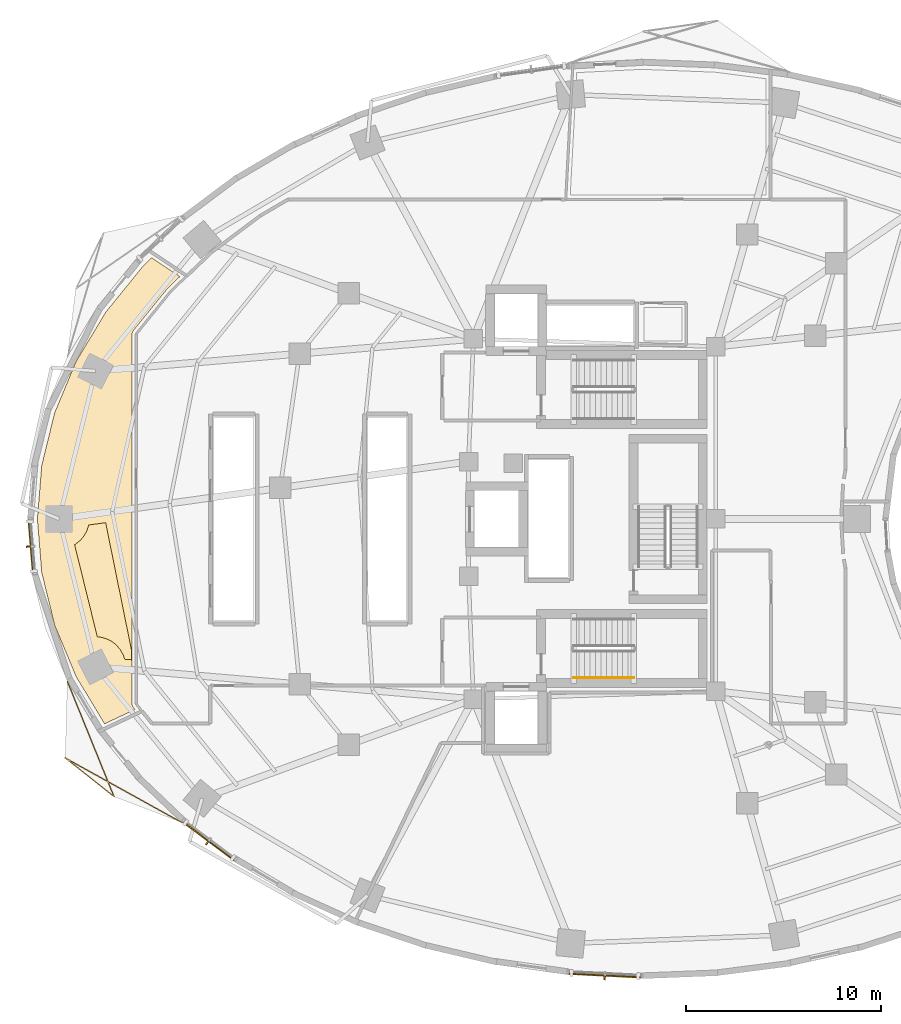
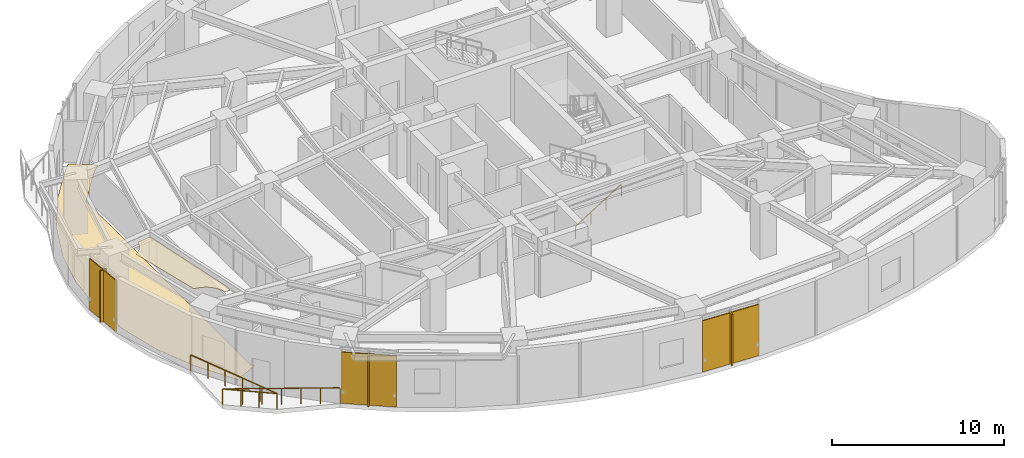
# One storey, part 12 of 14: 6 shading devices, 2 coverings, 2 railings.
"""IFC4 building model written with IfcOpenShell, lengths in metres."""

from ifc_helpers import new_model, si_unit, direction, frame, origin, origin_2d, place, context, subcontext, project, spatial, polyline, rectangle, outline, extrude, material, layer, layer_set, type_object, element, save


model = new_model("IFC4")

# Units and contexts
model_context = context("Model", 3, precision=1e-05, world=origin(), true_north=direction((0.0, 1.0)))
body_context = subcontext(model_context, "Body", "Model", "MODEL_VIEW")
ifc_project = project(units=[si_unit("LENGTHUNIT", "METRE"), si_unit("AREAUNIT", "SQUARE_METRE"), si_unit("VOLUMEUNIT", "CUBIC_METRE"), si_unit("PLANEANGLEUNIT", "RADIAN"), si_unit("MASSUNIT", "GRAM", prefix="KILO")], contexts=[model_context])

# Site, building, storey
site_placement = place(None, origin())
site = spatial("IfcSite", under=ifc_project, at=site_placement, CompositionType="ELEMENT")
building_placement = place(site_placement, origin())
building = spatial("IfcBuilding", under=site, at=building_placement, Name="Korentha Bioscience Tower", CompositionType="ELEMENT")
storey_placement = place(building_placement, frame((0.0, 0.0, 63.60009765625)))
storey = spatial("IfcBuildingStorey", under=building, at=storey_placement, Name="L14", CompositionType="ELEMENT", Elevation=63.60009765625)

# Railings
ifc_material_1 = material(Name="Stainless Steel 304", Category="steel")
railing_type_1 = type_object("IfcRailingType", Name="Brushed Stainless Stair Handrail 900", PredefinedType="HANDRAIL", material=ifc_material_1)
railing_1_placement = place(storey_placement, frame((30.25, 18.85009765625, 0.1748046875)))
element("IfcRailing", 1, at=railing_1_placement, inside=storey, type_object=railing_type_1, Name="L14 ST-2 stair handrail 1", PredefinedType="HANDRAIL", context=body_context, shape_type="SweptSolid", body=[
    extrude(rectangle(XDim=0.048095703125, YDim=0.048095703125, at=origin_2d()), frame((0.0, 0.0, 0.8759765625), z_axis=(0.847998304005, 0.0, 0.529998940003), x_axis=(0.0, 1.0, 0.0)), (0.0, 0.0, 1.0), 3.632080078125),
    extrude(rectangle(XDim=0.0419921875, YDim=0.0419921875, at=origin_2d()), origin(), (0.0, 0.0, 1.0), 0.851806640625),
    extrude(rectangle(XDim=0.0419921875, YDim=0.0419921875, at=origin_2d()), frame((1.026611328125, 0.0, 0.6416015625)), (0.0, 0.0, 1.0), 0.851806640625),
    extrude(rectangle(XDim=0.0419921875, YDim=0.0419921875, at=origin_2d()), frame((2.053466796875, 0.0, 1.283447265625)), (0.0, 0.0, 1.0), 0.851806640625),
    extrude(rectangle(XDim=0.0419921875, YDim=0.0419921875, at=origin_2d()), frame((3.080078125, 0.0, 1.925048828125)), (0.0, 0.0, 1.0), 0.851806640625),
])
ifc_material_2 = material(Name="Laminated Tempered Safety Glass", Category="glass")
railing_type_2 = type_object("IfcRailingType", Name="Laminated Glass Balcony Guardrail 1150", PredefinedType="BALUSTRADE", material=ifc_material_2)
railing_2_placement = place(storey_placement, frame((4.246337890625, 18.6708984375, 0.0)))
element("IfcRailing", 2, at=railing_2_placement, inside=storey, type_object=railing_type_2, Name="L14 Balcony Guardrail 03", PredefinedType="BALUSTRADE", context=body_context, shape_type="SweptSolid", body=[
    extrude(rectangle(XDim=0.048095703125, YDim=0.048095703125, at=origin_2d()), frame((0.0, 0.0, 1.1259765625), z_axis=(0.375353526565, -0.926881723897, 0.0), x_axis=(0.926881723897, 0.375353526565, 0.0)), (0.0, 0.0, 1.0), 6.399658203125),
    extrude(rectangle(XDim=0.048095703125, YDim=0.048095703125, at=origin_2d()), frame((2.402099609375, -5.931640625, 1.1259765625), z_axis=(-0.783832620515, 0.620972159615, 0.0), x_axis=(-0.620972159615, -0.783832620515, 0.0)), (0.0, 0.0, 1.0), 3.205078125),
    extrude(rectangle(XDim=0.048095703125, YDim=0.048095703125, at=origin_2d()), frame((-0.110107421875, -3.94140625, 1.1259765625), z_axis=(0.874749012384, -0.484576274011, 0.0), x_axis=(0.484576274011, 0.874749012384, 0.0)), (0.0, 0.0, 1.0), 6.843017578125),
    extrude(rectangle(XDim=0.0419921875, YDim=0.0419921875, at=origin_2d()), origin(), (0.0, 0.0, 1.0), 1.101806640625),
    extrude(rectangle(XDim=0.0419921875, YDim=0.0419921875, at=origin_2d()), frame((0.48046875, -1.186279296875, 0.0)), (0.0, 0.0, 1.0), 1.101806640625),
    extrude(rectangle(XDim=0.0419921875, YDim=0.0419921875, at=origin_2d()), frame((0.9609375, -2.37255859375, 0.0)), (0.0, 0.0, 1.0), 1.101806640625),
    extrude(rectangle(XDim=0.0419921875, YDim=0.0419921875, at=origin_2d()), frame((1.441162109375, -3.55908203125, 0.0)), (0.0, 0.0, 1.0), 1.101806640625),
    extrude(rectangle(XDim=0.0419921875, YDim=0.0419921875, at=origin_2d()), frame((1.921630859375, -4.745361328125, 0.0)), (0.0, 0.0, 1.0), 1.101806640625),
    extrude(rectangle(XDim=0.0419921875, YDim=0.0419921875, at=origin_2d()), frame((2.402099609375, -5.931640625, 0.0)), (0.0, 0.0, 1.0), 1.101806640625),
    extrude(rectangle(XDim=0.0419921875, YDim=0.0419921875, at=origin_2d()), frame((1.564697265625, -5.268310546875, 0.0)), (0.0, 0.0, 1.0), 1.101806640625),
    extrude(rectangle(XDim=0.0419921875, YDim=0.0419921875, at=origin_2d()), frame((0.727294921875, -4.604736328125, 0.0)), (0.0, 0.0, 1.0), 1.101806640625),
    extrude(rectangle(XDim=0.0419921875, YDim=0.0419921875, at=origin_2d()), frame((-0.110107421875, -3.94140625, 0.0)), (0.0, 0.0, 1.0), 1.101806640625),
    extrude(rectangle(XDim=0.0419921875, YDim=0.0419921875, at=origin_2d()), frame((0.887451171875, -4.494140625, 0.0)), (0.0, 0.0, 1.0), 1.101806640625),
    extrude(rectangle(XDim=0.0419921875, YDim=0.0419921875, at=origin_2d()), frame((1.88525390625, -5.046630859375, 0.0)), (0.0, 0.0, 1.0), 1.101806640625),
    extrude(rectangle(XDim=0.0419921875, YDim=0.0419921875, at=origin_2d()), frame((2.8828125, -5.599365234375, 0.0)), (0.0, 0.0, 1.0), 1.101806640625),
    extrude(rectangle(XDim=0.0419921875, YDim=0.0419921875, at=origin_2d()), frame((3.88037109375, -6.152099609375, 0.0)), (0.0, 0.0, 1.0), 1.101806640625),
    extrude(rectangle(XDim=0.0419921875, YDim=0.0419921875, at=origin_2d()), frame((4.878173828125, -6.70458984375, 0.0)), (0.0, 0.0, 1.0), 1.101806640625),
    extrude(rectangle(XDim=0.0419921875, YDim=0.0419921875, at=origin_2d()), frame((5.875732421875, -7.25732421875, 0.0)), (0.0, 0.0, 1.0), 1.101806640625),
])

# Covering
ifc_material_3 = material(Name="Antimicrobial Mineral Fibre Board", Category="gypsum")
ifc_layer_1 = layer(ifc_material_3, 0.034912109375, Name="Antimicrobial Mineral Fibre Board")
ifc_layer_set_1 = layer_set([ifc_layer_1], Name="Antimicrobial Mineral Fibre Board (CL-MF35)")
covering_type_1 = type_object("IfcCoveringType", Name="Mineral-Fibre Cleanroom Suspended Ceiling 35", PredefinedType="CEILING", material=ifc_layer_set_1)
covering_1_placement = place(storey_placement, frame((0.0, 0.0, 3.864990234375)))
element("IfcCovering", 3, at=covering_1_placement, inside=storey, type_object=covering_type_1, Name="L14 Clinical Trials Data Office 06 Acoustic Ceiling", PredefinedType="CEILING", context=body_context, shape_type="SweptSolid", body=[
    extrude(outline(polyline([(7.19287109375, 19.798583984375), (7.127685546875, 19.99755859375), (6.984619140625, 20.265380859375), (6.791748046875, 20.50048828125), (6.678955078125, 20.6025390625), (6.556884765625, 20.693115234375), (6.288818359375, 20.83642578125), (5.998046875, 20.924560546875), (5.787841796875, 20.949951171875), (4.62451171875, 25.6748046875), (4.92138671875, 25.90478515625), (5.1142578125, 26.1396484375), (5.25732421875, 26.40771484375), (5.34326171875, 26.688720703125), (6.217041015625, 26.811279296875), (7.5400390625, 20.283203125), (7.5400390625, 19.76904296875), (7.19287109375, 19.798583984375)])), origin(), (0.0, 0.0, 1.0), 0.034912109375),
])

# Shading devices
ifc_material_4 = material(Name="Perforated Stone-Ceramic Composite", Category="masonry")
ifc_layer_2 = layer(ifc_material_4, 0.06494140625, Name="Perforated Stone-Ceramic Composite")
ifc_layer_set_2 = layer_set([ifc_layer_2], Name="Perforated Stone-Ceramic Composite (CS-01)")
shading_device_type_1 = type_object("IfcShadingDeviceType", Name="Perforated Stone-Ceramic Solar Screen Panel 65", PredefinedType="USERDEFINED", material=ifc_layer_set_2)
shading_device_1_placement = place(storey_placement, frame((2.37451171875, 25.58935546875, 0.0), z_axis=(0.0, 0.0, 1.0), x_axis=(0.080820466375, -0.996728675325, 0.0)))
element("IfcShadingDevice", 4, at=shading_device_1_placement, inside=storey, type_object=shading_device_type_1, Name="CW-L14-19 Perforated Stone-Ceramic Solar Screen", ObjectType="SCREEN", PredefinedType="USERDEFINED", context=body_context, shape_type="SweptSolid", body=[
    extrude(rectangle(XDim=2.739990234375, YDim=0.06494140625, at=origin_2d()), origin(), (0.0, 0.0, 1.0), 3.64990234375),
])
shading_device_2_placement = place(storey_placement, frame((11.503662109375, 10.455078125, 0.0), z_axis=(0.0, 0.0, 1.0), x_axis=(0.800797909614, -0.598934644145, 0.0)))
element("IfcShadingDevice", 5, at=shading_device_2_placement, inside=storey, type_object=shading_device_type_1, Name="CW-L14-25 Perforated Stone-Ceramic Solar Screen", ObjectType="SCREEN", PredefinedType="USERDEFINED", context=body_context, shape_type="SweptSolid", body=[
    extrude(rectangle(XDim=3.260986328125, YDim=0.06494140625, at=origin_2d()), origin(), (0.0, 0.0, 1.0), 3.64990234375),
])
shading_device_3_placement = place(storey_placement, frame((31.85009765625, 3.556640625, 0.0), z_axis=(0.0, 0.0, 1.0), x_axis=(0.998730551641, -0.050371472279, 0.0)))
element("IfcShadingDevice", 6, at=shading_device_3_placement, inside=storey, type_object=shading_device_type_1, Name="CW-L14-31 Perforated Stone-Ceramic Solar Screen", ObjectType="SCREEN", PredefinedType="USERDEFINED", context=body_context, shape_type="SweptSolid", body=[
    extrude(rectangle(XDim=3.717041015625, YDim=0.06494140625, at=origin_2d()), origin(), (0.0, 0.0, 1.0), 3.64990234375),
])

# Covering
ifc_material_5 = material(Name="Chemical-Resistant Epoxy Resin", Category="polymer")
ifc_layer_3 = layer(ifc_material_5, 0.011962890625, Name="Chemical-Resistant Epoxy Resin")
ifc_layer_set_3 = layer_set([ifc_layer_3], Name="Chemical-Resistant Epoxy Resin (FL-EPX)")
covering_type_2 = type_object("IfcCoveringType", Name="Seamless Epoxy Laboratory Flooring 12", PredefinedType="FLOORING", material=ifc_layer_set_3)
covering_2_placement = place(storey_placement, origin())
element("IfcCovering", 7, at=covering_2_placement, inside=storey, type_object=covering_type_2, Name="L14 Clinical Trials Data Office 06 Floor Finish", PredefinedType="FLOORING", context=body_context, shape_type="SweptSolid", body=[
    extrude(outline(polyline([(2.9345703125, 29.74853515625), (3.60009765625, 32.4580078125), (4.702392578125, 35.097900390625), (6.225830078125, 37.623779296875), (8.15087890625, 40.001708984375), (8.58251953125, 40.41357421875), (10.0283203125, 39.443115234375), (9.39404296875, 38.835693359375), (7.62109375, 36.64599609375), (7.572509765625, 36.53515625), (7.570068359375, 17.498779296875), (7.601806640625, 17.382080078125), (7.730712890625, 17.218994140625), (6.163818359375, 16.47900390625), (4.702392578125, 18.90185546875), (3.600830078125, 21.53955078125), (2.934814453125, 24.251220703125), (2.711669921875, 27.0), (2.9345703125, 29.74853515625)])), origin(), (0.0, 0.0, 1.0), 0.011962890625),
])

# Shading devices
ifc_material_6 = material(Name="Honed Travertine Limestone", Category="masonry")
ifc_layer_4 = layer(ifc_material_6, 0.080078125, Name="Honed Travertine Limestone")
ifc_layer_set_4 = layer_set([ifc_layer_4], Name="Honed Travertine Limestone (CS-02)")
shading_device_type_2 = type_object("IfcShadingDeviceType", Name="Vertical Honed Limestone Sunshade Fin 80x420", PredefinedType="USERDEFINED", material=ifc_layer_set_4)
for number, where, z_axis, x_axis, name in (
    (8, (2.354736328125, 25.587890625, 0.0), (0.0, 0.0, 1.0), (0.080820466375, -0.996728675325, 0.0), "CW-L14-19 Limestone Sunshade Fin"),
    (9, (11.49169921875, 10.439208984375, 0.0), (0.0, 0.0, 1.0), (0.800797909614, -0.598934644145, 0.0), "CW-L14-25 Limestone Sunshade Fin"),
    (10, (31.84912109375, 3.536865234375, 0.0), (0.0, 0.0, 1.0), (0.998730551641, -0.050371472279, 0.0), "CW-L14-31 Limestone Sunshade Fin"),
):
    element("IfcShadingDevice", number, at=place(storey_placement, frame(where, z_axis=z_axis, x_axis=x_axis)), inside=storey, type_object=shading_device_type_2, Name=name, ObjectType="SCREEN", PredefinedType="USERDEFINED", context=body_context, shape_type="SweptSolid", body=[
        extrude(rectangle(XDim=0.080078125, YDim=0.419921875, at=origin_2d()), origin(), (0.0, 0.0, 1.0), 3.64990234375),
    ])

save(model, "model.ifc")
